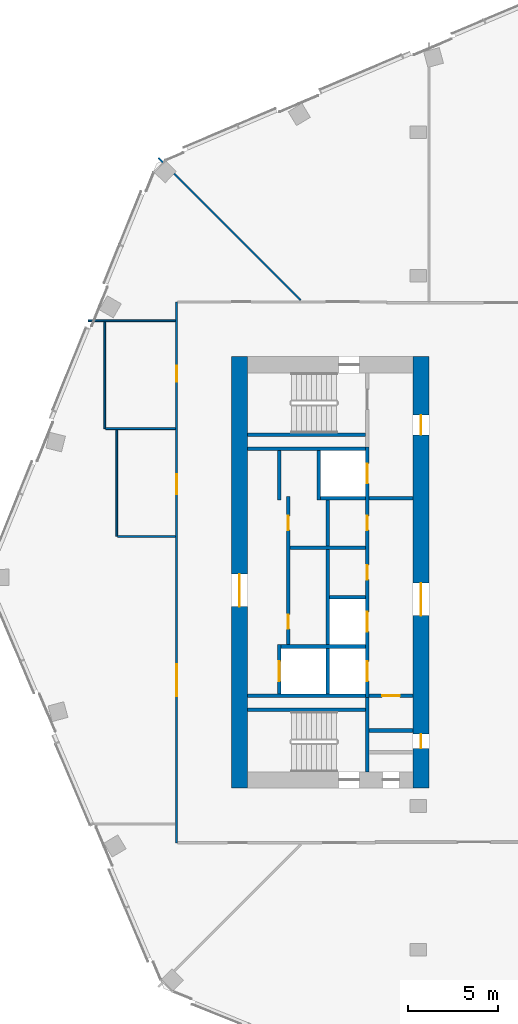
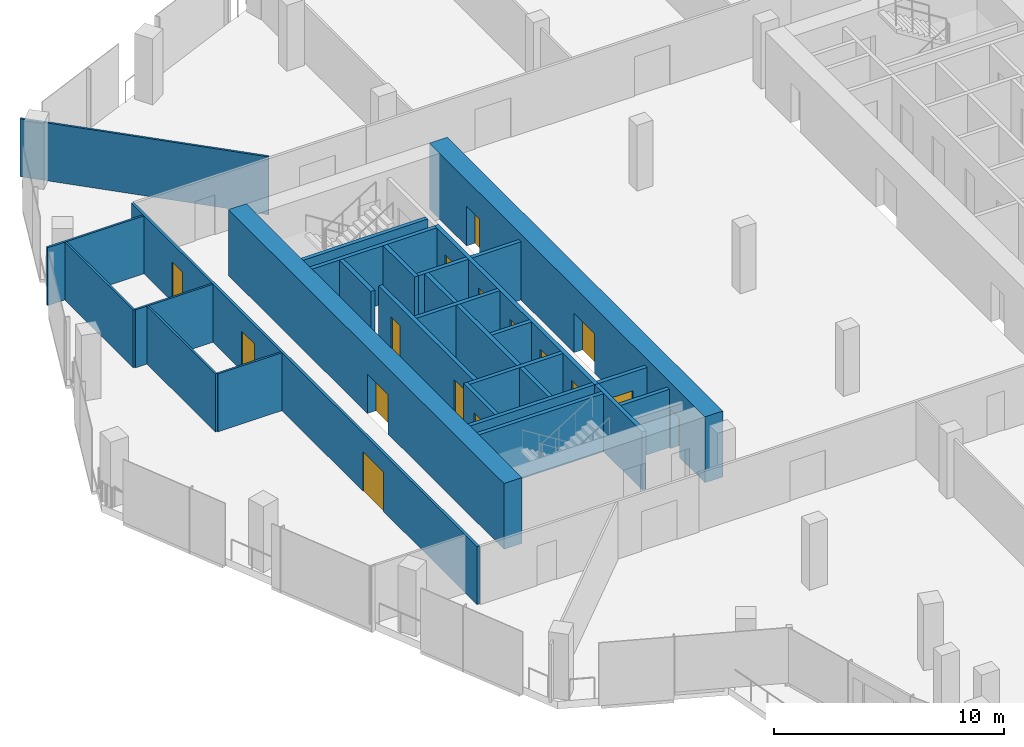
# One storey, part 19 of 26: 29 walls, 16 doors, 16 openings.
"""IFC4 building model written with IfcOpenShell, lengths in metres."""

from ifc_helpers import new_model, si_unit, direction, frame, frame_2d, origin, place, context, subcontext, project, spatial, rectangle, extrude, material, layer, layer_set, type_object, element, fill, save


model = new_model("IFC4")

# Units and contexts
model_context = context("Model", 3, precision=1e-05, world=origin(), true_north=direction((0.0, 1.0)))
body_context = subcontext(model_context, "Body", "Model", "MODEL_VIEW")
ifc_project = project(units=[si_unit("LENGTHUNIT", "METRE"), si_unit("AREAUNIT", "SQUARE_METRE"), si_unit("VOLUMEUNIT", "CUBIC_METRE"), si_unit("PLANEANGLEUNIT", "RADIAN"), si_unit("MASSUNIT", "GRAM", prefix="KILO")], contexts=[model_context])

# Site, building, storey
site_placement = place(None, origin())
site = spatial("IfcSite", under=ifc_project, at=site_placement, CompositionType="ELEMENT")
building_placement = place(site_placement, origin())
building = spatial("IfcBuilding", under=site, at=building_placement, Name="Orlundy Tower", CompositionType="ELEMENT")
storey_placement = place(building_placement, frame((0.0, 0.0, 275.39990234375)))
storey = spatial("IfcBuildingStorey", under=building, at=storey_placement, Name="L73", CompositionType="ELEMENT", Elevation=275.39990234375)

# Wall, opening, door
ifc_material_1 = material(Name="Concrete C50/60", Category="concrete")
ifc_layer_1 = layer(ifc_material_1, 0.89990234375)
ifc_layer_set_1 = layer_set([ifc_layer_1], Name="CORE WALL 900 C50/60")
wall_type_1 = type_object("IfcWallType", Name="CORE WALL 900 C50/60", PredefinedType="SHEAR", material=ifc_layer_set_1)
wall_1_placement = place(storey_placement, frame((-18.550048828125, -12.0, 0.0), z_axis=(0.0, 0.0, 1.0), x_axis=(0.0, 1.0, 0.0)))
wall_1 = element("IfcWall", 1, at=wall_1_placement, inside=storey, type_object=wall_type_1, Name="Core wall W-W L73", PredefinedType="SHEAR", context=body_context, shape_type="SweptSolid", body=[
    extrude(rectangle(XDim=24.0, YDim=0.89990234375, at=frame_2d((12.0, 0.0))), origin(), (0.0, 0.0, 1.0), 3.5),
])
opening_1_placement = place(wall_1_placement, frame((10.10009765625, 0.0, 0.0)))
opening_1 = element("IfcOpeningElement", 2, at=opening_1_placement, cuts=wall_1, Name="Opening 55010", PredefinedType="OPENING", context=body_context, shape_type="SweptSolid", body=[
    extrude(rectangle(XDim=1.800048828125, YDim=2.10009765625, at=frame_2d((0.89990234375, 1.050048828125))), frame((0.0, 0.4599609375, 0.0), z_axis=(0.0, -1.0, 0.0), x_axis=(1.0, 0.0, 0.0)), (0.0, 0.0, 1.0), 0.919921875),
])
ifc_material_2 = material(Name="Timber door set", Category="wood")
door_type_1 = type_object("IfcDoorType", Name="Lobby Door 1800x2100", OperationType="DOUBLE_DOOR_DOUBLE_SWING", PredefinedType="DOOR", material=ifc_material_2)
door_1_placement = place(opening_1_placement, origin())
door_1 = element("IfcDoor", 3, at=door_1_placement, inside=storey, type_object=door_type_1, Name="Lift lobby door 55010", OperationType="SINGLE_SWING_LEFT", OverallHeight=2.10009765625, OverallWidth=1.800048828125, PredefinedType="DOOR", context=body_context, shape_type="SweptSolid", body=[
    extrude(rectangle(XDim=1.800048828125, YDim=2.10009765625, at=frame_2d((0.89990234375, 1.050048828125))), frame((0.0, 0.02490234375, 0.0), z_axis=(0.0, -1.0, 0.0), x_axis=(1.0, 0.0, 0.0)), (0.0, 0.0, 1.0), 0.050048828125),
])
fill(opening_1, door_1)

# Wall, openings, doors
wall_2_placement = place(storey_placement, frame((-8.449951171875, -12.0, 0.0), z_axis=(0.0, 0.0, 1.0), x_axis=(0.0, 1.0, 0.0)))
wall_2 = element("IfcWall", 4, at=wall_2_placement, inside=storey, type_object=wall_type_1, Name="Core wall W-E L73", PredefinedType="SHEAR", context=body_context, shape_type="SweptSolid", body=[
    extrude(rectangle(XDim=24.0, YDim=0.89990234375, at=frame_2d((12.0, 0.0))), origin(), (0.0, 0.0, 1.0), 3.5),
])
opening_2_placement = place(wall_2_placement, frame((9.60009765625, 0.0, 0.0)))
opening_2 = element("IfcOpeningElement", 5, at=opening_2_placement, cuts=wall_2, Name="Opening 55009", PredefinedType="OPENING", context=body_context, shape_type="SweptSolid", body=[
    extrude(rectangle(XDim=1.800048828125, YDim=2.10009765625, at=frame_2d((0.89990234375, 1.050048828125))), frame((0.0, 0.4599609375, 0.0), z_axis=(0.0, -1.0, 0.0), x_axis=(1.0, 0.0, 0.0)), (0.0, 0.0, 1.0), 0.919921875),
])
opening_3_placement = place(wall_2_placement, frame((19.64990234375, 0.0, 0.0)))
opening_3 = element("IfcOpeningElement", 6, at=opening_3_placement, cuts=wall_2, Name="Opening 55011", PredefinedType="OPENING", context=body_context, shape_type="SweptSolid", body=[
    extrude(rectangle(XDim=1.10009765625, YDim=2.10009765625, at=frame_2d((0.550048828125, 1.050048828125))), frame((0.0, 0.4599609375, 0.0), z_axis=(0.0, -1.0, 0.0), x_axis=(1.0, 0.0, 0.0)), (0.0, 0.0, 1.0), 0.919921875),
])
opening_4_placement = place(wall_2_placement, frame((2.199951171875, 0.0, 0.0)))
opening_4 = element("IfcOpeningElement", 7, at=opening_4_placement, cuts=wall_2, Name="Opening 55016", PredefinedType="OPENING", context=body_context, shape_type="SweptSolid", body=[
    extrude(rectangle(XDim=0.800048828125, YDim=2.10009765625, at=frame_2d((0.39990234375, 1.050048828125))), frame((0.0, 0.4599609375, 0.0), z_axis=(0.0, -1.0, 0.0), x_axis=(1.0, 0.0, 0.0)), (0.0, 0.0, 1.0), 0.919921875),
])
ifc_material_3 = material(Name="Steel door set", Category="steel")
door_type_2 = type_object("IfcDoorType", Name="Fire-fighting Lobby Door 1100x2100", OperationType="SINGLE_SWING_LEFT", PredefinedType="DOOR", material=ifc_material_3)
door_2_placement = place(opening_3_placement, origin())
door_2 = element("IfcDoor", 8, at=door_2_placement, inside=storey, type_object=door_type_2, Name="Fire-fighting lobby door 55011", OperationType="SINGLE_SWING_RIGHT", OverallHeight=2.10009765625, OverallWidth=1.10009765625, PredefinedType="DOOR", context=body_context, shape_type="SweptSolid", body=[
    extrude(rectangle(XDim=1.10009765625, YDim=2.10009765625, at=frame_2d((0.550048828125, 1.050048828125))), frame((0.0, 0.02490234375, 0.0), z_axis=(0.0, -1.0, 0.0), x_axis=(1.0, 0.0, 0.0)), (0.0, 0.0, 1.0), 0.050048828125),
])
fill(opening_3, door_2)
door_3_placement = place(opening_2_placement, origin())
door_3 = element("IfcDoor", 9, at=door_3_placement, inside=storey, type_object=door_type_1, Name="Lift lobby door 55009", OperationType="SINGLE_SWING_LEFT", OverallHeight=2.10009765625, OverallWidth=1.800048828125, PredefinedType="DOOR", context=body_context, shape_type="SweptSolid", body=[
    extrude(rectangle(XDim=1.800048828125, YDim=2.10009765625, at=frame_2d((0.89990234375, 1.050048828125))), frame((0.0, 0.02490234375, 0.0), z_axis=(0.0, -1.0, 0.0), x_axis=(1.0, 0.0, 0.0)), (0.0, 0.0, 1.0), 0.050048828125),
])
fill(opening_2, door_3)
ifc_material_4 = material(Name="Timber door set", Category="wood")
door_type_3 = type_object("IfcDoorType", Name="Riser Door 800x2100", OperationType="SINGLE_SWING_LEFT", PredefinedType="DOOR", material=ifc_material_4)
door_4_placement = place(opening_4_placement, origin())
door_4 = element("IfcDoor", 10, at=door_4_placement, inside=storey, type_object=door_type_3, Name="Door 55016", OperationType="SINGLE_SWING_LEFT", OverallHeight=2.10009765625, OverallWidth=0.800048828125, PredefinedType="DOOR", context=body_context, shape_type="SweptSolid", body=[
    extrude(rectangle(XDim=0.800048828125, YDim=2.10009765625, at=frame_2d((0.39990234375, 1.050048828125))), frame((0.0, 0.02490234375, 0.0), z_axis=(0.0, -1.0, 0.0), x_axis=(1.0, 0.0, 0.0)), (0.0, 0.0, 1.0), 0.050048828125),
])
fill(opening_4, door_4)

# Walls
ifc_material_5 = material(Name="Gypsum board partition")
ifc_layer_2 = layer(ifc_material_5, 0.10009765625)
ifc_layer_set_2 = layer_set([ifc_layer_2], Name="Floor partition 100")
wall_type_2 = type_object("IfcWallType", Name="Floor partition 100", PredefinedType="PARTITIONING", material=ifc_layer_set_2)
wall_3_placement = place(storey_placement, frame((-23.070068359375, 23.070068359375, 0.0), z_axis=(0.0, 0.0, 1.0), x_axis=(0.707106781187, -0.707106781187, 0.0)))
element("IfcWall", 11, at=wall_3_placement, inside=storey, type_object=wall_type_2, Name="wall-int-L73-001", PredefinedType="PARTITIONING", context=body_context, shape_type="SweptSolid", body=[
    extrude(rectangle(XDim=11.2021484375, YDim=0.10009765625, at=frame_2d((5.60107421875, 0.0))), origin(), (0.0, 0.0, 1.0), 3.080078125),
])
wall_4_placement = place(storey_placement, frame((-25.3310546875, 2.0, 0.0), z_axis=(0.0, 0.0, 1.0), x_axis=(1.0, 0.0, 0.0)))
element("IfcWall", 12, at=wall_4_placement, inside=storey, type_object=wall_type_2, Name="wall-int-L73-009", PredefinedType="PARTITIONING", context=body_context, shape_type="SweptSolid", body=[
    extrude(rectangle(XDim=3.218017578125, YDim=0.10009765625, at=frame_2d((1.60888671875, 0.0))), origin(), (0.0, 0.0, 1.0), 3.080078125),
])
wall_5_placement = place(storey_placement, frame((-25.998046875, 8.0, 0.0), z_axis=(0.0, 0.0, 1.0), x_axis=(1.0, 0.0, 0.0)))
element("IfcWall", 13, at=wall_5_placement, inside=storey, type_object=wall_type_2, Name="wall-int-L73-011", PredefinedType="PARTITIONING", context=body_context, shape_type="SweptSolid", body=[
    extrude(rectangle(XDim=3.885009765625, YDim=0.10009765625, at=frame_2d((1.9423828125, 0.0))), origin(), (0.0, 0.0, 1.0), 3.080078125),
])
wall_6_placement = place(storey_placement, frame((-26.969970703125, 14.0, 0.0), z_axis=(0.0, 0.0, 1.0), x_axis=(1.0, 0.0, 0.0)))
element("IfcWall", 14, at=wall_6_placement, inside=storey, type_object=wall_type_2, Name="wall-int-L73-012", PredefinedType="PARTITIONING", context=body_context, shape_type="SweptSolid", body=[
    extrude(rectangle(XDim=4.85693359375, YDim=0.10009765625, at=frame_2d((2.428466796875, 0.0))), origin(), (0.0, 0.0, 1.0), 3.080078125),
])
wall_7_placement = place(storey_placement, frame((-25.382080078125, 2.0009765625, 0.0), z_axis=(0.0, 0.0, 1.0), x_axis=(0.0, 1.0, 0.0)))
element("IfcWall", 15, at=wall_7_placement, inside=storey, type_object=wall_type_2, Name="wall-int-L73-025", PredefinedType="PARTITIONING", context=body_context, shape_type="SweptSolid", body=[
    extrude(rectangle(XDim=5.948974609375, YDim=0.10009765625, at=frame_2d((2.974609375, 0.0))), origin(), (0.0, 0.0, 1.0), 3.080078125),
])
wall_8_placement = place(storey_placement, frame((-26.048095703125, 8.0, 0.0), z_axis=(0.0, 0.0, 1.0), x_axis=(0.0, 1.0, 0.0)))
element("IfcWall", 16, at=wall_8_placement, inside=storey, type_object=wall_type_2, Name="wall-int-L73-026", PredefinedType="PARTITIONING", context=body_context, shape_type="SweptSolid", body=[
    extrude(rectangle(XDim=5.949951171875, YDim=0.10009765625, at=frame_2d((2.97509765625, 0.0))), origin(), (0.0, 0.0, 1.0), 3.080078125),
])

# Wall, openings, doors
ifc_material_6 = material(Name="Gypsum board partition, double layer")
ifc_layer_3 = layer(ifc_material_6, 0.125)
ifc_layer_set_3 = layer_set([ifc_layer_3], Name="Floor partition 125")
wall_type_3 = type_object("IfcWallType", Name="Floor partition 125", PredefinedType="PARTITIONING", material=ifc_layer_set_3)
wall_9_placement = place(storey_placement, frame((-22.050048828125, -15.051025390625, 0.0), z_axis=(0.0, 0.0, 1.0), x_axis=(0.0, 1.0, 0.0)))
wall_9 = element("IfcWall", 17, at=wall_9_placement, inside=storey, type_object=wall_type_3, Name="wall-int-L73-024", PredefinedType="PARTITIONING", context=body_context, shape_type="SweptSolid", body=[
    extrude(rectangle(XDim=30.10205078125, YDim=0.125, at=frame_2d((15.051025390625, 0.0))), origin(), (0.0, 0.0, 1.0), 3.080078125),
])
opening_5_placement = place(wall_9_placement, frame((8.15087890625, 0.0, 0.0)))
opening_5 = element("IfcOpeningElement", 18, at=opening_5_placement, cuts=wall_9, Name="Opening 55100", PredefinedType="OPENING", context=body_context, shape_type="SweptSolid", body=[
    extrude(rectangle(XDim=1.800048828125, YDim=2.10009765625, at=frame_2d((0.89990234375, 1.050048828125))), frame((0.0, 0.072509765625, 0.0), z_axis=(0.0, -1.0, 0.0), x_axis=(1.0, 0.0, 0.0)), (0.0, 0.0, 1.0), 0.14501953125),
])
opening_6_placement = place(wall_9_placement, frame((25.652099609375, 0.0, 0.0)))
opening_6 = element("IfcOpeningElement", 19, at=opening_6_placement, cuts=wall_9, Name="Opening 55115", PredefinedType="OPENING", context=body_context, shape_type="SweptSolid", body=[
    extrude(rectangle(XDim=0.89990234375, YDim=2.10009765625, at=frame_2d((0.449951171875, 1.050048828125))), frame((0.0, 0.072509765625, 0.0), z_axis=(0.0, -1.0, 0.0), x_axis=(1.0, 0.0, 0.0)), (0.0, 0.0, 1.0), 0.14501953125),
])
opening_7_placement = place(wall_9_placement, frame((19.402099609375, 0.0, 0.0)))
opening_7 = element("IfcOpeningElement", 20, at=opening_7_placement, cuts=wall_9, Name="Opening 55116", PredefinedType="OPENING", context=body_context, shape_type="SweptSolid", body=[
    extrude(rectangle(XDim=1.10009765625, YDim=2.10009765625, at=frame_2d((0.550048828125, 1.050048828125))), frame((0.0, 0.072509765625, 0.0), z_axis=(0.0, -1.0, 0.0), x_axis=(1.0, 0.0, 0.0)), (0.0, 0.0, 1.0), 0.14501953125),
])
ifc_material_7 = material(Name="Timber door leaf", Category="wood")
door_type_4 = type_object("IfcDoorType", Name="Floor door double 1800 FD30S", OperationType="NOTDEFINED", PredefinedType="DOOR", material=ifc_material_7)
door_5_placement = place(opening_5_placement, origin())
door_5 = element("IfcDoor", 21, at=door_5_placement, inside=storey, type_object=door_type_4, Name="Door 55100", OperationType="DOUBLE_DOOR_SINGLE_SWING", OverallHeight=2.10009765625, OverallWidth=1.800048828125, PredefinedType="DOOR", context=body_context, shape_type="SweptSolid", body=[
    extrude(rectangle(XDim=1.800048828125, YDim=2.10009765625, at=frame_2d((0.89990234375, 1.050048828125))), frame((0.0, 0.02490234375, 0.0), z_axis=(0.0, -1.0, 0.0), x_axis=(1.0, 0.0, 0.0)), (0.0, 0.0, 1.0), 0.050048828125),
])
fill(opening_5, door_5)
ifc_material_8 = material(Name="Timber door leaf", Category="wood")
door_type_5 = type_object("IfcDoorType", Name="Floor door single 900 FD30S", OperationType="NOTDEFINED", PredefinedType="DOOR", material=ifc_material_8)
door_6_placement = place(opening_6_placement, origin())
door_6 = element("IfcDoor", 22, at=door_6_placement, inside=storey, type_object=door_type_5, Name="Door 55115", OperationType="SINGLE_SWING_RIGHT", OverallHeight=2.10009765625, OverallWidth=0.89990234375, PredefinedType="DOOR", context=body_context, shape_type="SweptSolid", body=[
    extrude(rectangle(XDim=0.89990234375, YDim=2.10009765625, at=frame_2d((0.449951171875, 1.050048828125))), frame((0.0, 0.02490234375, 0.0), z_axis=(0.0, -1.0, 0.0), x_axis=(1.0, 0.0, 0.0)), (0.0, 0.0, 1.0), 0.050048828125),
])
fill(opening_6, door_6)
ifc_material_9 = material(Name="Timber door leaf", Category="wood")
door_type_6 = type_object("IfcDoorType", Name="Floor door xwide 1100 FD30S", OperationType="NOTDEFINED", PredefinedType="DOOR", material=ifc_material_9)
door_7_placement = place(opening_7_placement, origin())
door_7 = element("IfcDoor", 23, at=door_7_placement, inside=storey, type_object=door_type_6, Name="Door 55116", OperationType="SINGLE_SWING_RIGHT", OverallHeight=2.10009765625, OverallWidth=1.10009765625, PredefinedType="DOOR", context=body_context, shape_type="SweptSolid", body=[
    extrude(rectangle(XDim=1.10009765625, YDim=2.10009765625, at=frame_2d((0.550048828125, 1.050048828125))), frame((0.0, 0.02490234375, 0.0), z_axis=(0.0, -1.0, 0.0), x_axis=(1.0, 0.0, 0.0)), (0.0, 0.0, 1.0), 0.050048828125),
])
fill(opening_7, door_7)

# Walls
ifc_material_10 = material(Name="Concrete C40/50", Category="concrete")
ifc_layer_4 = layer(ifc_material_10, 0.199951171875)
ifc_layer_set_4 = layer_set([ifc_layer_4], Name="Load-bearing Shaft Wall 200")
wall_type_4 = type_object("IfcWallType", Name="Load-bearing Shaft Wall 200", PredefinedType="SOLIDWALL", material=ifc_layer_set_4)
wall_10_placement = place(storey_placement, frame((-11.5400390625, 7.64990234375, 0.0), z_axis=(0.0, 0.0, 1.0), x_axis=(-1.0, 0.0, 0.0)))
element("IfcWall", 24, at=wall_10_placement, inside=storey, type_object=wall_type_4, Name="Shaft wall W55-stair-side-n", PredefinedType="SOLIDWALL", context=body_context, shape_type="SweptSolid", body=[
    extrude(rectangle(XDim=6.56005859375, YDim=0.199951171875, at=frame_2d((3.280029296875, 0.0))), origin(), (0.0, 0.0, 1.0), 3.090087890625),
])
wall_11_placement = place(storey_placement, frame((-11.43994140625, -11.10009765625, 0.0), z_axis=(0.0, 0.0, 1.0), x_axis=(0.0, 1.0, 0.0)))
element("IfcWall", 25, at=wall_11_placement, inside=storey, type_object=wall_type_4, Name="Shaft wall W55-stair-end-s", PredefinedType="SOLIDWALL", context=body_context, shape_type="SweptSolid", body=[
    extrude(rectangle(XDim=4.125, YDim=0.199951171875, at=frame_2d((2.0625, 0.0))), origin(), (0.0, 0.0, 1.0), 3.090087890625),
])
wall_12_placement = place(storey_placement, frame((-11.5400390625, -7.64990234375, 0.0), z_axis=(0.0, 0.0, 1.0), x_axis=(-1.0, 0.0, 0.0)))
element("IfcWall", 26, at=wall_12_placement, inside=storey, type_object=wall_type_4, Name="Shaft wall W55-stair-side-s", PredefinedType="SOLIDWALL", context=body_context, shape_type="SweptSolid", body=[
    extrude(rectangle(XDim=6.56005859375, YDim=0.199951171875, at=frame_2d((3.280029296875, 0.0))), origin(), (0.0, 0.0, 1.0), 3.090087890625),
])
ifc_material_11 = material(Name="Gypsum board partition on steel studs", Category="steel")
ifc_layer_5 = layer(ifc_material_11, 0.199951171875)
ifc_layer_set_5 = layer_set([ifc_layer_5], Name="Partition 200")
wall_type_5 = type_object("IfcWallType", Name="Partition 200", PredefinedType="PARTITIONING", material=ifc_layer_set_5)
wall_13_placement = place(storey_placement, frame((-8.89990234375, 4.125, 0.0), z_axis=(0.0, 0.0, 1.0), x_axis=(-1.0, 0.0, 0.0)))
element("IfcWall", 27, at=wall_13_placement, inside=storey, type_object=wall_type_5, Name="Partition wall W55-lobby-n", PredefinedType="PARTITIONING", context=body_context, shape_type="SweptSolid", body=[
    extrude(rectangle(XDim=2.440185546875, YDim=0.199951171875, at=frame_2d((1.22021484375, 0.0))), origin(), (0.0, 0.0, 1.0), 3.090087890625),
])

# Wall, opening, door
wall_14_placement = place(storey_placement, frame((-8.89990234375, -6.875, 0.0), z_axis=(0.0, 0.0, 1.0), x_axis=(-1.0, 0.0, 0.0)))
wall_14 = element("IfcWall", 28, at=wall_14_placement, inside=storey, type_object=wall_type_5, Name="Partition wall W55-end-s", PredefinedType="PARTITIONING", context=body_context, shape_type="SweptSolid", body=[
    extrude(rectangle(XDim=2.440185546875, YDim=0.199951171875, at=frame_2d((1.22021484375, 0.0))), origin(), (0.0, 0.0, 1.0), 3.090087890625),
])
opening_8_placement = place(wall_14_placement, frame((0.719970703125, 0.0, 0.0)))
opening_8 = element("IfcOpeningElement", 29, at=opening_8_placement, cuts=wall_14, Name="Opening 55017", PredefinedType="OPENING", context=body_context, shape_type="SweptSolid", body=[
    extrude(rectangle(XDim=1.0, YDim=2.10009765625, at=frame_2d((0.5, 1.050048828125))), frame((0.0, 0.110107421875, 0.0), z_axis=(0.0, -1.0, 0.0), x_axis=(1.0, 0.0, 0.0)), (0.0, 0.0, 1.0), 0.22021484375),
])
ifc_material_12 = material(Name="Timber door set", Category="wood")
door_type_7 = type_object("IfcDoorType", Name="Accessible Door 1000x2100", OperationType="SINGLE_SWING_LEFT", PredefinedType="DOOR", material=ifc_material_12)
door_8_placement = place(opening_8_placement, origin())
door_8 = element("IfcDoor", 30, at=door_8_placement, inside=storey, type_object=door_type_7, Name="Accessible WC door 55017", OperationType="SINGLE_SWING_RIGHT", OverallHeight=2.10009765625, OverallWidth=1.0, PredefinedType="DOOR", context=body_context, shape_type="SweptSolid", body=[
    extrude(rectangle(XDim=1.0, YDim=2.10009765625, at=frame_2d((0.5, 1.050048828125))), frame((0.0, 0.02490234375, 0.0), z_axis=(0.0, -1.0, 0.0), x_axis=(1.0, 0.0, 0.0)), (0.0, 0.0, 1.0), 0.050048828125),
])
fill(opening_8, door_8)

# Walls
wall_15_placement = place(storey_placement, frame((-8.89990234375, -8.800048828125, 0.0), z_axis=(0.0, 0.0, 1.0), x_axis=(-1.0, 0.0, 0.0)))
element("IfcWall", 31, at=wall_15_placement, inside=storey, type_object=wall_type_5, Name="Partition wall W55-room-s1", PredefinedType="PARTITIONING", context=body_context, shape_type="SweptSolid", body=[
    extrude(rectangle(XDim=2.440185546875, YDim=0.199951171875, at=frame_2d((1.22021484375, 0.0))), origin(), (0.0, 0.0, 1.0), 3.090087890625),
])
ifc_material_13 = material(Name="Fire-rated blockwork shaft wall", Category="masonry")
ifc_layer_6 = layer(ifc_material_13, 0.199951171875)
ifc_layer_set_6 = layer_set([ifc_layer_6], Name="Shaft Wall 200")
wall_type_6 = type_object("IfcWallType", Name="Shaft Wall 200", PredefinedType="SOLIDWALL", material=ifc_layer_set_6)
for number, where, z_axis, x_axis, name in (
    (32, (-11.5400390625, 6.875, 0.0), (0.0, 0.0, 1.0), (-1.0, 0.0, 0.0), "Shaft wall W55-zone-n"),
    (33, (-11.5400390625, -6.875, 0.0), (0.0, 0.0, 1.0), (-1.0, 0.0, 0.0), "Shaft wall W55-zone-s"),
):
    element("IfcWall", number, at=place(storey_placement, frame(where, z_axis=z_axis, x_axis=x_axis)), inside=storey, type_object=wall_type_6, Name=name, PredefinedType="SOLIDWALL", context=body_context, shape_type="SweptSolid", body=[
        extrude(rectangle(XDim=6.56005859375, YDim=0.199951171875, at=frame_2d((3.280029296875, 0.0))), origin(), (0.0, 0.0, 1.0), 3.090087890625),
    ])
wall_16_placement = place(storey_placement, frame((-11.5400390625, -4.125, 0.0), z_axis=(0.0, 0.0, 1.0), x_axis=(-1.0, 0.0, 0.0)))
element("IfcWall", 34, at=wall_16_placement, inside=storey, type_object=wall_type_6, Name="Shaft wall W55-cross-4.125", PredefinedType="SOLIDWALL", context=body_context, shape_type="SweptSolid", body=[
    extrude(rectangle(XDim=4.699951171875, YDim=0.199951171875, at=frame_2d((2.35009765625, 0.0))), origin(), (0.0, 0.0, 1.0), 3.090087890625),
])
wall_17_placement = place(storey_placement, frame((-11.5400390625, -1.375, 0.0), z_axis=(0.0, 0.0, 1.0), x_axis=(-1.0, 0.0, 0.0)))
element("IfcWall", 35, at=wall_17_placement, inside=storey, type_object=wall_type_6, Name="Shaft wall W55-cross-1.375", PredefinedType="SOLIDWALL", context=body_context, shape_type="SweptSolid", body=[
    extrude(rectangle(XDim=2.0, YDim=0.199951171875, at=frame_2d((1.0, 0.0))), origin(), (0.0, 0.0, 1.0), 3.090087890625),
])
wall_18_placement = place(storey_placement, frame((-11.5400390625, 1.375, 0.0), z_axis=(0.0, 0.0, 1.0), x_axis=(-1.0, 0.0, 0.0)))
element("IfcWall", 36, at=wall_18_placement, inside=storey, type_object=wall_type_6, Name="Shaft wall W55-cross+1.375", PredefinedType="SOLIDWALL", context=body_context, shape_type="SweptSolid", body=[
    extrude(rectangle(XDim=4.199951171875, YDim=0.199951171875, at=frame_2d((2.10009765625, 0.0))), origin(), (0.0, 0.0, 1.0), 3.090087890625),
])
wall_19_placement = place(storey_placement, frame((-11.5400390625, 4.125, 0.0), z_axis=(0.0, 0.0, 1.0), x_axis=(-1.0, 0.0, 0.0)))
element("IfcWall", 37, at=wall_19_placement, inside=storey, type_object=wall_type_6, Name="Shaft wall W55-cross+4.125", PredefinedType="SOLIDWALL", context=body_context, shape_type="SweptSolid", body=[
    extrude(rectangle(XDim=2.5, YDim=0.199951171875, at=frame_2d((1.25, 0.0))), origin(), (0.0, 0.0, 1.0), 3.090087890625),
])

# Wall, openings, doors
wall_20_placement = place(storey_placement, frame((-11.43994140625, -6.97509765625, 0.0), z_axis=(0.0, 0.0, 1.0), x_axis=(0.0, 1.0, 0.0)))
wall_20 = element("IfcWall", 38, at=wall_20_placement, inside=storey, type_object=wall_type_6, Name="Shaft wall W55-front-h", PredefinedType="SOLIDWALL", context=body_context, shape_type="SweptSolid", body=[
    extrude(rectangle(XDim=13.9501953125, YDim=0.199951171875, at=frame_2d((6.97509765625, 0.0))), origin(), (0.0, 0.0, 1.0), 3.090087890625),
])
opening_9_placement = place(wall_20_placement, frame((0.925048828125, 0.0, 0.0)))
opening_9 = element("IfcOpeningElement", 39, at=opening_9_placement, cuts=wall_20, Name="Opening 55001", PredefinedType="OPENING", context=body_context, shape_type="SweptSolid", body=[
    extrude(rectangle(XDim=1.10009765625, YDim=2.10009765625, at=frame_2d((0.550048828125, 1.050048828125))), frame((0.0, 0.110107421875, 0.0), z_axis=(0.0, -1.0, 0.0), x_axis=(1.0, 0.0, 0.0)), (0.0, 0.0, 1.0), 0.22021484375),
])
opening_10_placement = place(wall_20_placement, frame((3.675048828125, 0.0, 0.0)))
opening_10 = element("IfcOpeningElement", 40, at=opening_10_placement, cuts=wall_20, Name="Opening 55003", PredefinedType="OPENING", context=body_context, shape_type="SweptSolid", body=[
    extrude(rectangle(XDim=1.10009765625, YDim=2.10009765625, at=frame_2d((0.550048828125, 1.050048828125))), frame((0.0, 0.110107421875, 0.0), z_axis=(0.0, -1.0, 0.0), x_axis=(1.0, 0.0, 0.0)), (0.0, 0.0, 1.0), 0.22021484375),
])
opening_11_placement = place(wall_20_placement, frame((11.925048828125, 0.0, 0.0)))
opening_11 = element("IfcOpeningElement", 41, at=opening_11_placement, cuts=wall_20, Name="Opening 55004", PredefinedType="OPENING", context=body_context, shape_type="SweptSolid", body=[
    extrude(rectangle(XDim=1.10009765625, YDim=2.10009765625, at=frame_2d((0.550048828125, 1.050048828125))), frame((0.0, 0.110107421875, 0.0), z_axis=(0.0, -1.0, 0.0), x_axis=(1.0, 0.0, 0.0)), (0.0, 0.0, 1.0), 0.22021484375),
])
opening_12_placement = place(wall_20_placement, frame((6.574951171875, 0.0, 0.0)))
opening_12 = element("IfcOpeningElement", 42, at=opening_12_placement, cuts=wall_20, Name="Opening 55006", PredefinedType="OPENING", context=body_context, shape_type="SweptSolid", body=[
    extrude(rectangle(XDim=0.800048828125, YDim=2.10009765625, at=frame_2d((0.39990234375, 1.050048828125))), frame((0.0, 0.110107421875, 0.0), z_axis=(0.0, -1.0, 0.0), x_axis=(1.0, 0.0, 0.0)), (0.0, 0.0, 1.0), 0.22021484375),
])
opening_13_placement = place(wall_20_placement, frame((9.324951171875, 0.0, 0.0)))
opening_13 = element("IfcOpeningElement", 43, at=opening_13_placement, cuts=wall_20, Name="Opening 55007", PredefinedType="OPENING", context=body_context, shape_type="SweptSolid", body=[
    extrude(rectangle(XDim=0.800048828125, YDim=2.10009765625, at=frame_2d((0.39990234375, 1.050048828125))), frame((0.0, 0.110107421875, 0.0), z_axis=(0.0, -1.0, 0.0), x_axis=(1.0, 0.0, 0.0)), (0.0, 0.0, 1.0), 0.22021484375),
])
ifc_material_14 = material(Name="Steel door set", Category="steel")
door_type_8 = type_object("IfcDoorType", Name="Landing Door 1100x2100", OperationType="DOUBLE_DOOR_SLIDING", PredefinedType="DOOR", material=ifc_material_14)
door_9_placement = place(opening_9_placement, origin())
door_9 = element("IfcDoor", 44, at=door_9_placement, inside=storey, type_object=door_type_8, Name="Lift landing door LP-22 55001", OperationType="DOUBLE_DOOR_SLIDING", OverallHeight=2.10009765625, OverallWidth=1.10009765625, PredefinedType="DOOR", context=body_context, shape_type="SweptSolid", body=[
    extrude(rectangle(XDim=1.10009765625, YDim=2.10009765625, at=frame_2d((0.550048828125, 1.050048828125))), frame((0.0, 0.02490234375, 0.0), z_axis=(0.0, -1.0, 0.0), x_axis=(1.0, 0.0, 0.0)), (0.0, 0.0, 1.0), 0.050048828125),
])
fill(opening_9, door_9)
door_10_placement = place(opening_10_placement, origin())
door_10 = element("IfcDoor", 45, at=door_10_placement, inside=storey, type_object=door_type_8, Name="Lift landing door LP-21 55003", OperationType="DOUBLE_DOOR_SLIDING", OverallHeight=2.10009765625, OverallWidth=1.10009765625, PredefinedType="DOOR", context=body_context, shape_type="SweptSolid", body=[
    extrude(rectangle(XDim=1.10009765625, YDim=2.10009765625, at=frame_2d((0.550048828125, 1.050048828125))), frame((0.0, 0.02490234375, 0.0), z_axis=(0.0, -1.0, 0.0), x_axis=(1.0, 0.0, 0.0)), (0.0, 0.0, 1.0), 0.050048828125),
])
fill(opening_10, door_10)
door_11_placement = place(opening_11_placement, origin())
door_11 = element("IfcDoor", 46, at=door_11_placement, inside=storey, type_object=door_type_8, Name="Lift landing door FL1 55004", OperationType="DOUBLE_DOOR_SLIDING", OverallHeight=2.10009765625, OverallWidth=1.10009765625, PredefinedType="DOOR", context=body_context, shape_type="SweptSolid", body=[
    extrude(rectangle(XDim=1.10009765625, YDim=2.10009765625, at=frame_2d((0.550048828125, 1.050048828125))), frame((0.0, 0.02490234375, 0.0), z_axis=(0.0, -1.0, 0.0), x_axis=(1.0, 0.0, 0.0)), (0.0, 0.0, 1.0), 0.050048828125),
])
fill(opening_11, door_11)
door_12_placement = place(opening_12_placement, origin())
door_12 = element("IfcDoor", 47, at=door_12_placement, inside=storey, type_object=door_type_3, Name="Coat Store door 55006", OperationType="SINGLE_SWING_LEFT", OverallHeight=2.10009765625, OverallWidth=0.800048828125, PredefinedType="DOOR", context=body_context, shape_type="SweptSolid", body=[
    extrude(rectangle(XDim=0.800048828125, YDim=2.10009765625, at=frame_2d((0.39990234375, 1.050048828125))), frame((0.0, 0.02490234375, 0.0), z_axis=(0.0, -1.0, 0.0), x_axis=(1.0, 0.0, 0.0)), (0.0, 0.0, 1.0), 0.050048828125),
])
fill(opening_12, door_12)
door_13_placement = place(opening_13_placement, origin())
door_13 = element("IfcDoor", 48, at=door_13_placement, inside=storey, type_object=door_type_3, Name="Parcel Store door 55007", OperationType="SINGLE_SWING_LEFT", OverallHeight=2.10009765625, OverallWidth=0.800048828125, PredefinedType="DOOR", context=body_context, shape_type="SweptSolid", body=[
    extrude(rectangle(XDim=0.800048828125, YDim=2.10009765625, at=frame_2d((0.39990234375, 1.050048828125))), frame((0.0, 0.02490234375, 0.0), z_axis=(0.0, -1.0, 0.0), x_axis=(1.0, 0.0, 0.0)), (0.0, 0.0, 1.0), 0.050048828125),
])
fill(opening_13, door_13)

# Walls
wall_21_placement = place(storey_placement, frame((-13.639892578125, -6.77490234375, 0.0), z_axis=(0.0, 0.0, 1.0), x_axis=(0.0, 1.0, 0.0)))
element("IfcWall", 49, at=wall_21_placement, inside=storey, type_object=wall_type_6, Name="Shaft wall W55-mid-a", PredefinedType="SOLIDWALL", context=body_context, shape_type="SweptSolid", body=[
    extrude(rectangle(XDim=2.5498046875, YDim=0.199951171875, at=frame_2d((1.27490234375, 0.0))), origin(), (0.0, 0.0, 1.0), 3.090087890625),
])
wall_22_placement = place(storey_placement, frame((-13.639892578125, -4.02490234375, 0.0), z_axis=(0.0, 0.0, 1.0), x_axis=(0.0, 1.0, 0.0)))
element("IfcWall", 50, at=wall_22_placement, inside=storey, type_object=wall_type_6, Name="Shaft wall W55-mid-a.1", PredefinedType="SOLIDWALL", context=body_context, shape_type="SweptSolid", body=[
    extrude(rectangle(XDim=5.2998046875, YDim=0.199951171875, at=frame_2d((2.64990234375, 0.0))), origin(), (0.0, 0.0, 1.0), 3.090087890625),
])
wall_23_placement = place(storey_placement, frame((-13.639892578125, 1.47509765625, 0.0), z_axis=(0.0, 0.0, 1.0), x_axis=(0.0, 1.0, 0.0)))
element("IfcWall", 51, at=wall_23_placement, inside=storey, type_object=wall_type_6, Name="Shaft wall W55-mid-a.2", PredefinedType="SOLIDWALL", context=body_context, shape_type="SweptSolid", body=[
    extrude(rectangle(XDim=2.5498046875, YDim=0.199951171875, at=frame_2d((1.27490234375, 0.0))), origin(), (0.0, 0.0, 1.0), 3.090087890625),
])
wall_24_placement = place(storey_placement, frame((-14.139892578125, 4.02490234375, 0.0), z_axis=(0.0, 0.0, 1.0), x_axis=(0.0, 1.0, 0.0)))
element("IfcWall", 52, at=wall_24_placement, inside=storey, type_object=wall_type_6, Name="Shaft wall W55-mid-b", PredefinedType="SOLIDWALL", context=body_context, shape_type="SweptSolid", body=[
    extrude(rectangle(XDim=2.75, YDim=0.199951171875, at=frame_2d((1.375, 0.0))), origin(), (0.0, 0.0, 1.0), 3.090087890625),
])

# Wall, opening, door
wall_25_placement = place(storey_placement, frame((-16.340087890625, -6.77490234375, 0.0), z_axis=(0.0, 0.0, 1.0), x_axis=(0.0, 1.0, 0.0)))
wall_25 = element("IfcWall", 53, at=wall_25_placement, inside=storey, type_object=wall_type_6, Name="Shaft wall W55-front-o-a", PredefinedType="SOLIDWALL", context=body_context, shape_type="SweptSolid", body=[
    extrude(rectangle(XDim=2.75, YDim=0.199951171875, at=frame_2d((1.375, 0.0))), origin(), (0.0, 0.0, 1.0), 3.090087890625),
])
opening_14_placement = place(wall_25_placement, frame((0.72509765625, 0.0, 0.0)))
opening_14 = element("IfcOpeningElement", 54, at=opening_14_placement, cuts=wall_25, Name="Opening 55002", PredefinedType="OPENING", context=body_context, shape_type="SweptSolid", body=[
    extrude(rectangle(XDim=1.10009765625, YDim=2.10009765625, at=frame_2d((0.550048828125, 1.050048828125))), frame((0.0, 0.110107421875, 0.0), z_axis=(0.0, -1.0, 0.0), x_axis=(1.0, 0.0, 0.0)), (0.0, 0.0, 1.0), 0.22021484375),
])
door_14_placement = place(opening_14_placement, origin())
door_14 = element("IfcDoor", 55, at=door_14_placement, inside=storey, type_object=door_type_8, Name="Lift landing door LV-01 55002", OperationType="DOUBLE_DOOR_SLIDING", OverallHeight=2.10009765625, OverallWidth=1.10009765625, PredefinedType="DOOR", context=body_context, shape_type="SweptSolid", body=[
    extrude(rectangle(XDim=1.10009765625, YDim=2.10009765625, at=frame_2d((0.550048828125, 1.050048828125))), frame((0.0, 0.02490234375, 0.0), z_axis=(0.0, -1.0, 0.0), x_axis=(1.0, 0.0, 0.0)), (0.0, 0.0, 1.0), 0.050048828125),
])
fill(opening_14, door_14)

# Wall, openings, doors
wall_26_placement = place(storey_placement, frame((-15.840087890625, -4.02490234375, 0.0), z_axis=(0.0, 0.0, 1.0), x_axis=(0.0, 1.0, 0.0)))
wall_26 = element("IfcWall", 56, at=wall_26_placement, inside=storey, type_object=wall_type_6, Name="Shaft wall W55-front-o-b", PredefinedType="SOLIDWALL", context=body_context, shape_type="SweptSolid", body=[
    extrude(rectangle(XDim=8.25, YDim=0.199951171875, at=frame_2d((4.125, 0.0))), origin(), (0.0, 0.0, 1.0), 3.090087890625),
])
opening_15_placement = place(wall_26_placement, frame((0.875, 0.0, 0.0)))
opening_15 = element("IfcOpeningElement", 57, at=opening_15_placement, cuts=wall_26, Name="Opening 55005", PredefinedType="OPENING", context=body_context, shape_type="SweptSolid", body=[
    extrude(rectangle(XDim=0.800048828125, YDim=2.10009765625, at=frame_2d((0.39990234375, 1.050048828125))), frame((0.0, 0.110107421875, 0.0), z_axis=(0.0, -1.0, 0.0), x_axis=(1.0, 0.0, 0.0)), (0.0, 0.0, 1.0), 0.22021484375),
])
opening_16_placement = place(wall_26_placement, frame((6.375, 0.0, 0.0)))
opening_16 = element("IfcOpeningElement", 58, at=opening_16_placement, cuts=wall_26, Name="Opening 55008", PredefinedType="OPENING", context=body_context, shape_type="SweptSolid", body=[
    extrude(rectangle(XDim=0.800048828125, YDim=2.10009765625, at=frame_2d((0.39990234375, 1.050048828125))), frame((0.0, 0.110107421875, 0.0), z_axis=(0.0, -1.0, 0.0), x_axis=(1.0, 0.0, 0.0)), (0.0, 0.0, 1.0), 0.22021484375),
])
door_15_placement = place(opening_15_placement, origin())
door_15 = element("IfcDoor", 59, at=door_15_placement, inside=storey, type_object=door_type_3, Name="Printer Paper Store door 55005", OperationType="SINGLE_SWING_LEFT", OverallHeight=2.10009765625, OverallWidth=0.800048828125, PredefinedType="DOOR", context=body_context, shape_type="SweptSolid", body=[
    extrude(rectangle(XDim=0.800048828125, YDim=2.10009765625, at=frame_2d((0.39990234375, 1.050048828125))), frame((0.0, 0.02490234375, 0.0), z_axis=(0.0, -1.0, 0.0), x_axis=(1.0, 0.0, 0.0)), (0.0, 0.0, 1.0), 0.050048828125),
])
fill(opening_15, door_15)
door_16_placement = place(opening_16_placement, origin())
door_16 = element("IfcDoor", 60, at=door_16_placement, inside=storey, type_object=door_type_3, Name="Coat Store door 55008", OperationType="SINGLE_SWING_LEFT", OverallHeight=2.10009765625, OverallWidth=0.800048828125, PredefinedType="DOOR", context=body_context, shape_type="SweptSolid", body=[
    extrude(rectangle(XDim=0.800048828125, YDim=2.10009765625, at=frame_2d((0.39990234375, 1.050048828125))), frame((0.0, 0.02490234375, 0.0), z_axis=(0.0, -1.0, 0.0), x_axis=(1.0, 0.0, 0.0)), (0.0, 0.0, 1.0), 0.050048828125),
])
fill(opening_16, door_16)

# Wall
wall_27_placement = place(storey_placement, frame((-16.340087890625, 4.02490234375, 0.0), z_axis=(0.0, 0.0, 1.0), x_axis=(0.0, 1.0, 0.0)))
element("IfcWall", 61, at=wall_27_placement, inside=storey, type_object=wall_type_6, Name="Shaft wall W55-front-o-c", PredefinedType="SOLIDWALL", context=body_context, shape_type="SweptSolid", body=[
    extrude(rectangle(XDim=2.75, YDim=0.199951171875, at=frame_2d((1.375, 0.0))), origin(), (0.0, 0.0, 1.0), 3.090087890625),
])

save(model, "model.ifc")
